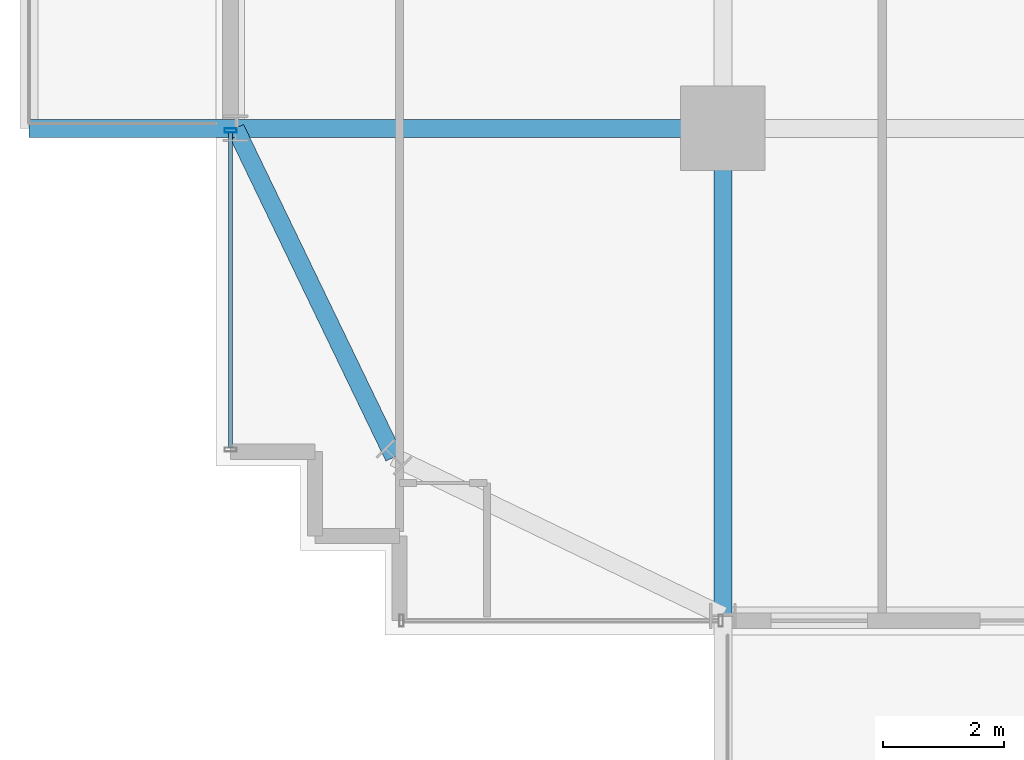
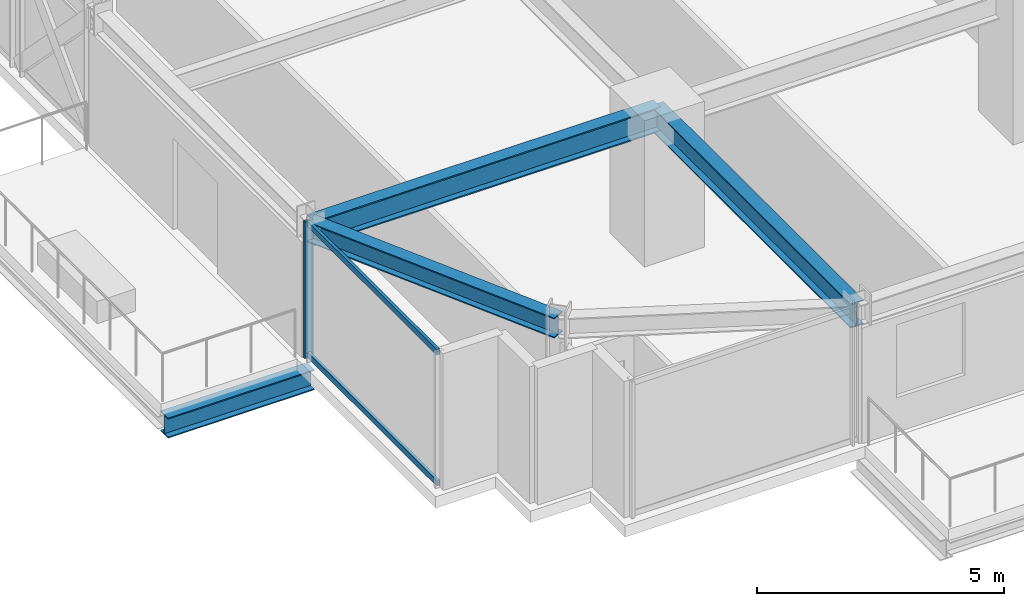
# One storey, part 4 of 37: 4 beams, 3 members, 1 element without a shape of its own.
"""IFC4 building model written with IfcOpenShell, lengths in metres."""

from ifc_helpers import new_model, si_unit, direction, frame, origin, origin_2d, place, context, subcontext, project, spatial, hollow_rectangle, i_section, extrude, source, transform, mapped, material, material_profile, profile_set, type_object, element, aggregate, save


model = new_model("IFC4")

# Units and contexts
model_context = context("Model", 3, precision=1e-05, world=origin(), true_north=direction((0.0, 1.0)))
body_context = subcontext(model_context, "Body", "Model", "MODEL_VIEW")
ifc_project = project(units=[si_unit("LENGTHUNIT", "METRE"), si_unit("AREAUNIT", "SQUARE_METRE"), si_unit("VOLUMEUNIT", "CUBIC_METRE"), si_unit("PLANEANGLEUNIT", "RADIAN"), si_unit("MASSUNIT", "GRAM", prefix="KILO")], contexts=[model_context])

# Site, building, storey
site_placement = place(None, origin())
site = spatial("IfcSite", under=ifc_project, at=site_placement, CompositionType="ELEMENT")
building_placement = place(site_placement, origin())
building = spatial("IfcBuilding", under=site, at=building_placement, Name="Nahalor Promenade Grand Hotel", CompositionType="ELEMENT")
storey_placement = place(building_placement, frame((0.0, 0.0, 65.25)))
storey = spatial("IfcBuildingStorey", under=building, at=storey_placement, Name="L15", CompositionType="ELEMENT", Elevation=65.25)

# Beams
ifc_material_1 = material(Name="Steel S355JR", Category="steel")
ifc_material_profile_1 = material_profile(ifc_material_1, i_section(OverallWidth=0.3, OverallDepth=0.5, WebThickness=0.0145, FlangeThickness=0.028, at=origin_2d()), Name="HEB 500")
ifc_profile_set_1 = profile_set([ifc_material_profile_1], Name="Steel S355JR")
beam_type_1 = type_object("IfcBeamType", Name="Beam-Outrigger-HEB500", PredefinedType="BEAM", material=ifc_profile_set_1)
shared_shape_1 = source(origin(), body_context, "Body", "SweptSolid", [
    extrude(i_section(OverallWidth=0.3, OverallDepth=0.5, WebThickness=0.0145, FlangeThickness=0.028, at=origin_2d()), origin(), (0.0, 0.0, 1.0), 3.419921875),
])
beam_1_placement = place(storey_placement, frame((-28.5, -17.0, -0.530029296875), z_axis=(1.0, 0.0, 0.0), x_axis=(0.0, 1.0, 0.0)))
element("IfcBeam", 1, at=beam_1_placement, inside=storey, type_object=beam_type_1, Name="BM-L15-BC-02-1", PredefinedType="BEAM", context=body_context, shape_type="MappedRepresentation", body=[
    mapped(shared_shape_1, transform((0.0, 0.0, 0.0), scale=1.0)),
])
ifc_material_profile_2 = material_profile(ifc_material_1, i_section(OverallWidth=0.3, OverallDepth=0.6, WebThickness=0.0155, FlangeThickness=0.03, at=origin_2d()), Name="HEB 600")
ifc_profile_set_2 = profile_set([ifc_material_profile_2], Name="Steel S355JR")
beam_type_2 = type_object("IfcBeamType", Name="Beam-Girder-HEB600", PredefinedType="BEAM", material=ifc_profile_set_2)
shared_shape_2 = source(origin(), body_context, "Body", "SweptSolid", [
    extrude(i_section(OverallWidth=0.3, OverallDepth=0.6, WebThickness=0.0155, FlangeThickness=0.03, at=origin_2d()), origin(), (0.0, 0.0, 1.0), 8.080078125),
])
for number, where, z_axis, x_axis, name in (
    (2, (-25.080078125, -17.0, 3.070068359375), (1.0, 0.0, 0.0), (0.0, 1.0, 0.0), "BM-L15-GX-0-0"),
    (3, (-17.0, -25.080078125, 3.070068359375), (0.0, 1.0, 0.0), (-1.0, 0.0, 0.0), "BM-L15-GY-0-0"),
):
    element("IfcBeam", number, at=place(storey_placement, frame(where, z_axis=z_axis, x_axis=x_axis)), inside=storey, type_object=beam_type_2, Name=name, PredefinedType="BEAM", context=body_context, shape_type="MappedRepresentation", body=[
        mapped(shared_shape_2, transform((0.0, 0.0, 0.0), scale=1.0)),
    ])
ifc_material_profile_3 = material_profile(ifc_material_1, i_section(OverallWidth=0.3, OverallDepth=0.5, WebThickness=0.0145, FlangeThickness=0.028, at=origin_2d()), Name="HEB 500")
ifc_profile_set_3 = profile_set([ifc_material_profile_3], Name="Steel S355JR")
beam_type_3 = type_object("IfcBeamType", Name="Beam-Spandrel-HEB500", PredefinedType="SPANDREL", material=ifc_profile_set_3)
shared_shape_3 = source(origin(), body_context, "Body", "SweptSolid", [
    extrude(i_section(OverallWidth=0.3, OverallDepth=0.5, WebThickness=0.0145, FlangeThickness=0.028, at=origin_2d()), origin(), (0.0, 0.0, 1.0), 6.051513671875),
])
beam_2_placement = place(storey_placement, frame((-22.449951171875, -22.449951171875, 3.1201171875), z_axis=(-0.434630596492, 0.900608818852, 0.0), x_axis=(-0.900608818852, -0.434630596492, 0.0)))
element("IfcBeam", 4, at=beam_2_placement, inside=storey, type_object=beam_type_3, Name="BM-L15-SPC-SW-2", PredefinedType="SPANDREL", context=body_context, shape_type="MappedRepresentation", body=[
    mapped(shared_shape_3, transform((0.0, 0.0, 0.0), scale=1.0)),
])

# Curtain wall, members
ifc_material_2 = material(Name="Anodised Bronze Aluminium EN AW-6063 T6", Category="aluminium")
curtain_wall_type = type_object("IfcCurtainWallType", Name="CW3 Elliptical-Void Collar Unitised Curtain Wall", PredefinedType="USERDEFINED", material=ifc_material_2)
curtain_wall_placement = place(storey_placement, origin())
curtain_wall = element("IfcCurtainWall", 5, at=curtain_wall_placement, inside=storey, type_object=curtain_wall_type, Name="L15 Curtain Wall CW-L15-W-1", ObjectType="UNITISED_CURTAIN_WALL", PredefinedType="USERDEFINED")
ifc_material_profile_4 = material_profile(ifc_material_2, hollow_rectangle(XDim=0.07, YDim=0.14, WallThickness=0.004, at=origin_2d()), Name="CWT 70x140x4")
ifc_profile_set_4 = profile_set([ifc_material_profile_4], Name="Anodised Bronze Aluminium EN AW-6063 T6")
member_type_1 = type_object("IfcMemberType", Name="CWT3 Void Collar Transom 70x140", PredefinedType="USERDEFINED", material=ifc_profile_set_4)
shared_shape_4 = source(origin(), body_context, "Body", "SweptSolid", [
    extrude(hollow_rectangle(XDim=0.07, YDim=0.14, WallThickness=0.004, at=origin_2d()), origin(), (0.0, 0.0, 1.0), 5.219970703125),
])
member_1_placement = place(storey_placement, frame((-25.159912109375, -22.2900390625, 0.070068359375), z_axis=(0.0, 1.0, 0.0), x_axis=(-1.0, 0.0, 0.0)))
member_1 = element("IfcMember", 6, at=member_1_placement, type_object=member_type_1, Name="CW-L15-W-1 Transom 0-0", ObjectType="TRANSOM", PredefinedType="USERDEFINED", context=body_context, shape_type="MappedRepresentation", body=[
    mapped(shared_shape_4, transform((0.0, 0.0, 0.0), scale=1.0)),
])
member_2_placement = place(storey_placement, frame((-25.159912109375, -22.2900390625, 3.300048828125), z_axis=(0.0, 1.0, 0.0), x_axis=(-1.0, 0.0, 0.0)))
member_2 = element("IfcMember", 7, at=member_2_placement, type_object=member_type_1, Name="CW-L15-W-1 Transom 0-1", ObjectType="TRANSOM", PredefinedType="USERDEFINED", context=body_context, shape_type="MappedRepresentation", body=[
    mapped(shared_shape_4, transform((0.0, 0.0, 0.0), scale=1.0)),
])
ifc_material_profile_5 = material_profile(ifc_material_2, hollow_rectangle(XDim=0.07, YDim=0.2, WallThickness=0.005, at=origin_2d()), Name="CWM 70x200x5")
ifc_profile_set_5 = profile_set([ifc_material_profile_5], Name="Anodised Bronze Aluminium EN AW-6063 T6")
member_type_2 = type_object("IfcMemberType", Name="CWM3 Void Collar Mullion 70x200", PredefinedType="MULLION", material=ifc_profile_set_5)
shared_shape_5 = source(origin(), body_context, "Body", "SweptSolid", [
    extrude(hollow_rectangle(XDim=0.07, YDim=0.2, WallThickness=0.005, at=origin_2d()), origin(), (0.0, 0.0, 1.0), 3.3701171875),
])
member_3_placement = place(storey_placement, frame((-25.159912109375, -17.034912109375, 0.0), z_axis=(0.0, 0.0, 1.0), x_axis=(0.0, 1.0, 0.0)))
member_3 = element("IfcMember", 8, at=member_3_placement, type_object=member_type_2, Name="CW-L15-W-1 Mullion 1", PredefinedType="MULLION", context=body_context, shape_type="MappedRepresentation", body=[
    mapped(shared_shape_5, transform((0.0, 0.0, 0.0), scale=1.0)),
])
aggregate(curtain_wall, [member_3, member_1, member_2])

save(model, "model.ifc")
